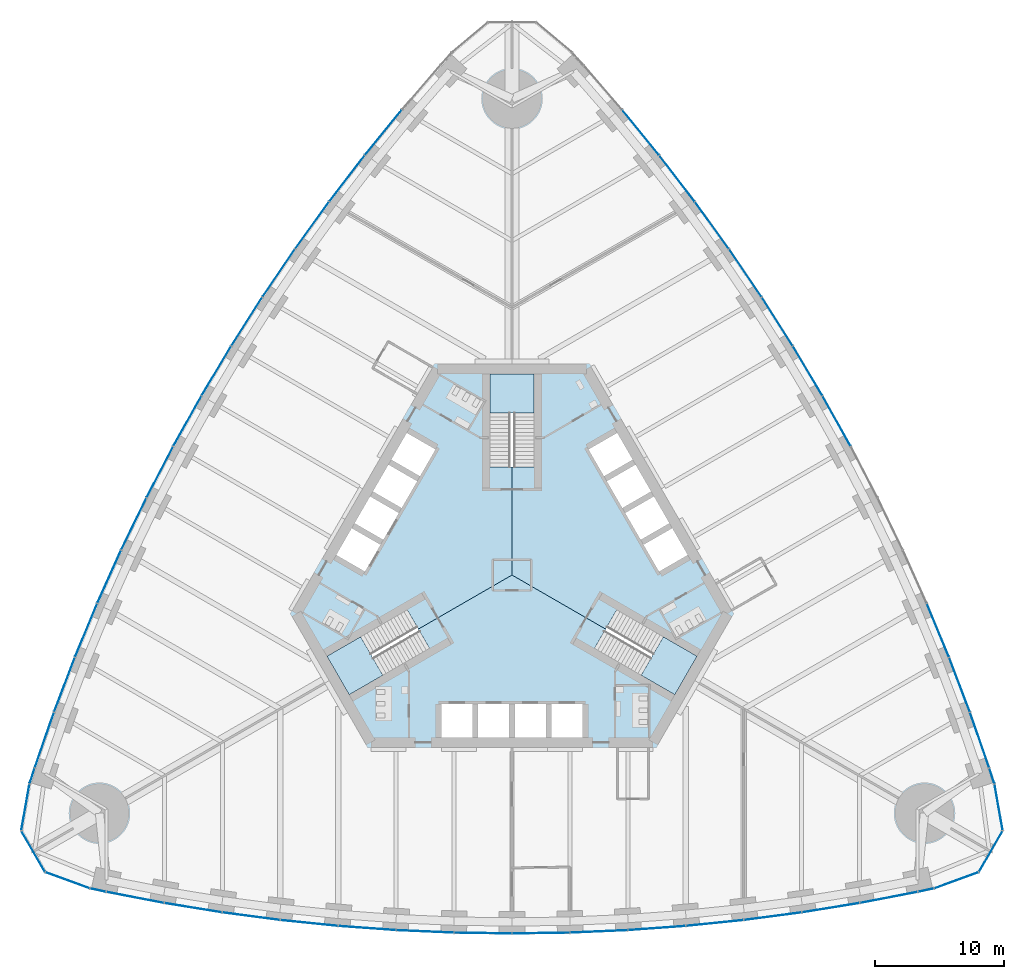
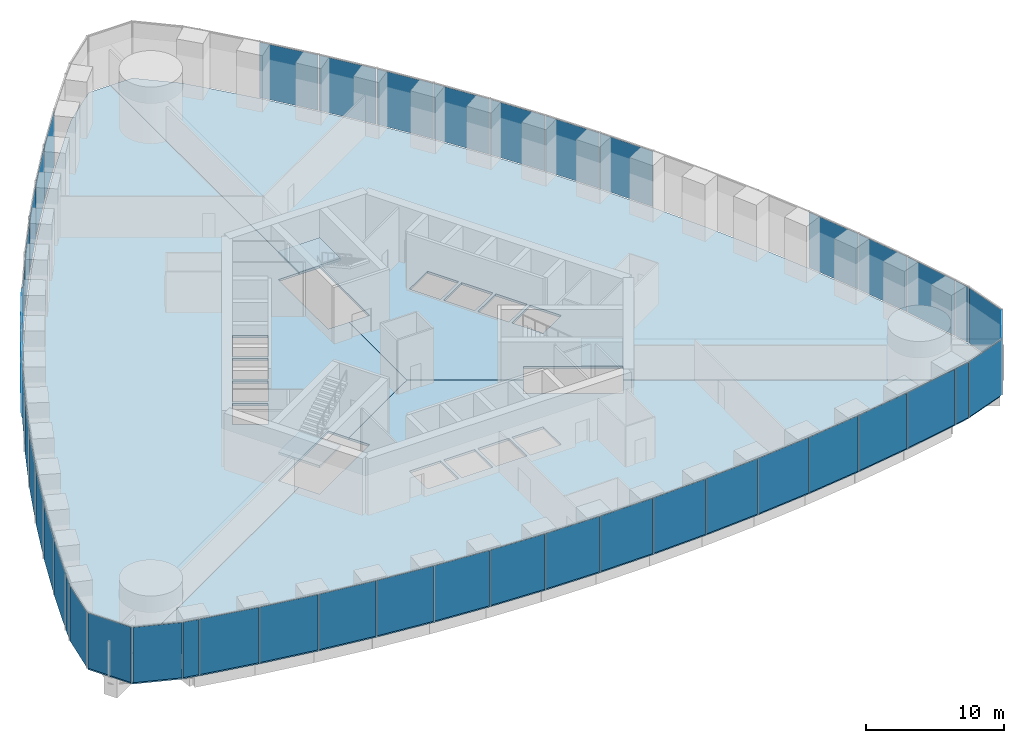
# One storey, part 13 of 21: 47 plates, 6 slabs, 8 elements without a shape of their own.
"""IFC4 building model written with IfcOpenShell, lengths in metres."""

from ifc_helpers import new_model, si_unit, direction, frame, origin, origin_2d, place, context, subcontext, project, spatial, polyline, rectangle, outline, extrude, material, layer, layer_set, type_object, element, aggregate, save


model = new_model("IFC4")

# Units and contexts
model_context = context("Model", 3, precision=1e-05, world=origin(), true_north=direction((0.0, 1.0)))
body_context = subcontext(model_context, "Body", "Model", "MODEL_VIEW")
ifc_project = project(units=[si_unit("LENGTHUNIT", "METRE"), si_unit("AREAUNIT", "SQUARE_METRE"), si_unit("VOLUMEUNIT", "CUBIC_METRE"), si_unit("PLANEANGLEUNIT", "RADIAN"), si_unit("MASSUNIT", "GRAM", prefix="KILO")], contexts=[model_context])

# Site, building, storey
site_placement = place(None, origin())
site = spatial("IfcSite", under=ifc_project, at=site_placement, CompositionType="ELEMENT")
building_placement = place(site_placement, origin())
building = spatial("IfcBuilding", under=site, at=building_placement, Name="Trefoil Bronze Tower", CompositionType="ELEMENT")
storey_placement = place(building_placement, frame((0.0, 0.0, 6.5)))
storey = spatial("IfcBuildingStorey", under=building, at=storey_placement, Name="L01", CompositionType="ELEMENT", Elevation=6.5)

# Curtain wall, plates
ifc_material_1 = material(Name="Tinted solar-control glass", Category="glass")
curtain_wall_type_1 = type_object("IfcCurtainWallType", Name="Bronze podium storefront curtain wall", PredefinedType="USERDEFINED", material=ifc_material_1)
curtain_wall_1_placement = place(storey_placement, origin())
curtain_wall_1 = element("IfcCurtainWall", 1, at=curtain_wall_1_placement, inside=storey, type_object=curtain_wall_type_1, Name="CW-C L01 F1", ObjectType="CURTAIN WALL", PredefinedType="USERDEFINED")
ifc_material_2 = material(Name="Tinted solar-control glass", Category="glass")
ifc_layer_1 = layer(ifc_material_2, 0.030029296875)
ifc_layer_set_1 = layer_set([ifc_layer_1], Name="Bronze podium storefront curtain wall glass panel")
plate_type_1 = type_object("IfcPlateType", Name="Bronze podium storefront curtain wall glass panel", PredefinedType="CURTAIN_PANEL", material=ifc_layer_set_1)
plate_1_placement = place(storey_placement, frame((-32.15185546875, -24.480224609375, 0.0), z_axis=(0.0, 0.0, 1.0), x_axis=(0.978302717041, -0.207180582657, 0.0)))
plate_1 = element("IfcPlate", 2, at=plate_1_placement, type_object=plate_type_1, Name="CW-C L01 F1 panel 1", PredefinedType="CURTAIN_PANEL", context=body_context, shape_type="SweptSolid", body=[
    extrude(rectangle(XDim=1.23046875, YDim=0.030029296875, at=origin_2d()), origin(), (0.0, 0.0, 1.0), 4.8798828125),
])
plate_2_placement = place(storey_placement, frame((-29.268798828125, -25.04638671875, 0.0), z_axis=(0.0, 0.0, 1.0), x_axis=(0.982049823817, -0.188621694249, 0.0)))
plate_2 = element("IfcPlate", 3, at=plate_2_placement, type_object=plate_type_1, Name="CW-C L01 F1 panel 2", PredefinedType="CURTAIN_PANEL", context=body_context, shape_type="SweptSolid", body=[
    extrude(rectangle(XDim=4.522216796875, YDim=0.030029296875, at=origin_2d()), origin(), (0.0, 0.0, 1.0), 4.8798828125),
])
plate_3_placement = place(storey_placement, frame((-24.765869140625, -25.8427734375, 0.0), z_axis=(0.0, 0.0, 1.0), x_axis=(0.987181315145, -0.159602791421, 0.0)))
plate_3 = element("IfcPlate", 4, at=plate_3_placement, type_object=plate_type_1, Name="CW-C L01 F1 panel 3", PredefinedType="CURTAIN_PANEL", context=body_context, shape_type="SweptSolid", body=[
    extrude(rectangle(XDim=4.49853515625, YDim=0.030029296875, at=origin_2d()), origin(), (0.0, 0.0, 1.0), 4.8798828125),
])
plate_4_placement = place(storey_placement, frame((-20.262939453125, -26.50341796875, 0.0), z_axis=(0.0, 0.0, 1.0), x_axis=(0.991437251591, -0.130583981243, 0.0)))
plate_4 = element("IfcPlate", 5, at=plate_4_placement, type_object=plate_type_1, Name="CW-C L01 F1 panel 4", PredefinedType="CURTAIN_PANEL", context=body_context, shape_type="SweptSolid", body=[
    extrude(rectangle(XDim=4.478759765625, YDim=0.030029296875, at=origin_2d()), origin(), (0.0, 0.0, 1.0), 4.8798828125),
])
plate_5_placement = place(storey_placement, frame((-15.76025390625, -27.02978515625, 0.0), z_axis=(0.0, 0.0, 1.0), x_axis=(0.994828880293, -0.101565244717, 0.0)))
plate_5 = element("IfcPlate", 6, at=plate_5_placement, type_object=plate_type_1, Name="CW-C L01 F1 panel 5", PredefinedType="CURTAIN_PANEL", context=body_context, shape_type="SweptSolid", body=[
    extrude(rectangle(XDim=4.46337890625, YDim=0.030029296875, at=origin_2d()), origin(), (0.0, 0.0, 1.0), 4.8798828125),
])
plate_6_placement = place(storey_placement, frame((-11.25732421875, -27.42333984375, 0.0), z_axis=(0.0, 0.0, 1.0), x_axis=(0.99736502647, -0.072546564177, 0.0)))
plate_6 = element("IfcPlate", 7, at=plate_6_placement, type_object=plate_type_1, Name="CW-C L01 F1 panel 6", PredefinedType="CURTAIN_PANEL", context=body_context, shape_type="SweptSolid", body=[
    extrude(rectangle(XDim=4.451904296875, YDim=0.030029296875, at=origin_2d()), origin(), (0.0, 0.0, 1.0), 4.8798828125),
])
plate_7_placement = place(storey_placement, frame((-6.75439453125, -27.685302734375, 0.0), z_axis=(0.0, 0.0, 1.0), x_axis=(0.999052210809, -0.043527922969, 0.0)))
plate_7 = element("IfcPlate", 8, at=plate_7_placement, type_object=plate_type_1, Name="CW-C L01 F1 panel 7", PredefinedType="CURTAIN_PANEL", context=body_context, shape_type="SweptSolid", body=[
    extrude(rectangle(XDim=4.4443359375, YDim=0.030029296875, at=origin_2d()), origin(), (0.0, 0.0, 1.0), 4.8798828125),
])
plate_8_placement = place(storey_placement, frame((-2.25146484375, -27.816162109375, 0.0), z_axis=(0.0, 0.0, 1.0), x_axis=(0.999894734493, -0.014509305083, 0.0)))
plate_8 = element("IfcPlate", 9, at=plate_8_placement, type_object=plate_type_1, Name="CW-C L01 F1 panel 8", PredefinedType="CURTAIN_PANEL", context=body_context, shape_type="SweptSolid", body=[
    extrude(rectangle(XDim=4.4404296875, YDim=0.030029296875, at=origin_2d()), origin(), (0.0, 0.0, 1.0), 4.8798828125),
])
plate_9_placement = place(storey_placement, frame((2.25146484375, -27.816162109375, 0.0), z_axis=(0.0, 0.0, 1.0), x_axis=(0.999894734493, 0.014509305083, 0.0)))
plate_9 = element("IfcPlate", 10, at=plate_9_placement, type_object=plate_type_1, Name="CW-C L01 F1 panel 9", PredefinedType="CURTAIN_PANEL", context=body_context, shape_type="SweptSolid", body=[
    extrude(rectangle(XDim=4.4404296875, YDim=0.030029296875, at=origin_2d()), origin(), (0.0, 0.0, 1.0), 4.8798828125),
])
plate_10_placement = place(storey_placement, frame((6.75439453125, -27.685302734375, 0.0), z_axis=(0.0, 0.0, 1.0), x_axis=(0.999052210809, 0.043527922969, 0.0)))
plate_10 = element("IfcPlate", 11, at=plate_10_placement, type_object=plate_type_1, Name="CW-C L01 F1 panel 10", PredefinedType="CURTAIN_PANEL", context=body_context, shape_type="SweptSolid", body=[
    extrude(rectangle(XDim=4.4443359375, YDim=0.030029296875, at=origin_2d()), origin(), (0.0, 0.0, 1.0), 4.8798828125),
])
plate_11_placement = place(storey_placement, frame((11.25732421875, -27.42333984375, 0.0), z_axis=(0.0, 0.0, 1.0), x_axis=(0.99736502647, 0.072546564177, 0.0)))
plate_11 = element("IfcPlate", 12, at=plate_11_placement, type_object=plate_type_1, Name="CW-C L01 F1 panel 11", PredefinedType="CURTAIN_PANEL", context=body_context, shape_type="SweptSolid", body=[
    extrude(rectangle(XDim=4.451904296875, YDim=0.030029296875, at=origin_2d()), origin(), (0.0, 0.0, 1.0), 4.8798828125),
])
plate_12_placement = place(storey_placement, frame((15.76025390625, -27.02978515625, 0.0), z_axis=(0.0, 0.0, 1.0), x_axis=(0.994828880293, 0.101565244717, 0.0)))
plate_12 = element("IfcPlate", 13, at=plate_12_placement, type_object=plate_type_1, Name="CW-C L01 F1 panel 12", PredefinedType="CURTAIN_PANEL", context=body_context, shape_type="SweptSolid", body=[
    extrude(rectangle(XDim=4.46337890625, YDim=0.030029296875, at=origin_2d()), origin(), (0.0, 0.0, 1.0), 4.8798828125),
])
plate_13_placement = place(storey_placement, frame((20.262939453125, -26.50341796875, 0.0), z_axis=(0.0, 0.0, 1.0), x_axis=(0.991437251591, 0.130583981243, 0.0)))
plate_13 = element("IfcPlate", 14, at=plate_13_placement, type_object=plate_type_1, Name="CW-C L01 F1 panel 13", PredefinedType="CURTAIN_PANEL", context=body_context, shape_type="SweptSolid", body=[
    extrude(rectangle(XDim=4.478759765625, YDim=0.030029296875, at=origin_2d()), origin(), (0.0, 0.0, 1.0), 4.8798828125),
])
plate_14_placement = place(storey_placement, frame((24.765869140625, -25.8427734375, 0.0), z_axis=(0.0, 0.0, 1.0), x_axis=(0.987181315145, 0.159602791421, 0.0)))
plate_14 = element("IfcPlate", 15, at=plate_14_placement, type_object=plate_type_1, Name="CW-C L01 F1 panel 14", PredefinedType="CURTAIN_PANEL", context=body_context, shape_type="SweptSolid", body=[
    extrude(rectangle(XDim=4.49853515625, YDim=0.030029296875, at=origin_2d()), origin(), (0.0, 0.0, 1.0), 4.8798828125),
])
plate_15_placement = place(storey_placement, frame((29.268798828125, -25.04638671875, 0.0), z_axis=(0.0, 0.0, 1.0), x_axis=(0.982049823817, 0.188621694249, 0.0)))
plate_15 = element("IfcPlate", 16, at=plate_15_placement, type_object=plate_type_1, Name="CW-C L01 F1 panel 15", PredefinedType="CURTAIN_PANEL", context=body_context, shape_type="SweptSolid", body=[
    extrude(rectangle(XDim=4.522216796875, YDim=0.030029296875, at=origin_2d()), origin(), (0.0, 0.0, 1.0), 4.8798828125),
])
plate_16_placement = place(storey_placement, frame((32.15185546875, -24.480224609375, 0.0), z_axis=(0.0, 0.0, 1.0), x_axis=(0.978302717041, 0.207180582657, 0.0)))
plate_16 = element("IfcPlate", 17, at=plate_16_placement, type_object=plate_type_1, Name="CW-C L01 F1 panel 16", PredefinedType="CURTAIN_PANEL", context=body_context, shape_type="SweptSolid", body=[
    extrude(rectangle(XDim=1.23046875, YDim=0.030029296875, at=origin_2d()), origin(), (0.0, 0.0, 1.0), 4.8798828125),
])
aggregate(curtain_wall_1, [plate_1, plate_2, plate_3, plate_4, plate_5, plate_6, plate_7, plate_8, plate_9, plate_10, plate_11, plate_12, plate_13, plate_14, plate_15, plate_16])

curtain_wall_2_placement = place(storey_placement, origin())
curtain_wall_2 = element("IfcCurtainWall", 18, at=curtain_wall_2_placement, inside=storey, type_object=curtain_wall_type_1, Name="CW-C L01 F2", ObjectType="CURTAIN WALL", PredefinedType="USERDEFINED")
plate_17_placement = place(storey_placement, frame((37.2763671875, -15.604248046875, 0.0), z_axis=(0.0, 0.0, 1.0), x_axis=(-0.309727710769, 0.950825296877, 0.0)))
plate_17 = element("IfcPlate", 19, at=plate_17_placement, type_object=plate_type_1, Name="CW-C L01 F2 panel 1", PredefinedType="CURTAIN_PANEL", context=body_context, shape_type="SweptSolid", body=[
    extrude(rectangle(XDim=1.23046875, YDim=0.030029296875, at=origin_2d()), origin(), (0.0, 0.0, 1.0), 4.8798828125),
])
plate_18_placement = place(storey_placement, frame((36.3251953125, -12.824462890625, 0.0), z_axis=(0.0, 0.0, 1.0), x_axis=(-0.327673732984, 0.944790942332, 0.0)))
plate_18 = element("IfcPlate", 20, at=plate_18_placement, type_object=plate_type_1, Name="CW-C L01 F2 panel 2", PredefinedType="CURTAIN_PANEL", context=body_context, shape_type="SweptSolid", body=[
    extrude(rectangle(XDim=4.522216796875, YDim=0.030029296875, at=origin_2d()), origin(), (0.0, 0.0, 1.0), 4.8798828125),
])
plate_19_placement = place(storey_placement, frame((34.763427734375, -8.526611328125, 0.0), z_axis=(0.0, 0.0, 1.0), x_axis=(-0.355370585687, 0.934725492767, 0.0)))
plate_19 = element("IfcPlate", 21, at=plate_19_placement, type_object=plate_type_1, Name="CW-C L01 F2 panel 3", PredefinedType="CURTAIN_PANEL", context=body_context, shape_type="SweptSolid", body=[
    extrude(rectangle(XDim=4.49853515625, YDim=0.030029296875, at=origin_2d()), origin(), (0.0, 0.0, 1.0), 4.8798828125),
])
plate_20_placement = place(storey_placement, frame((33.084228515625, -4.296630859375, 0.0), z_axis=(0.0, 0.0, 1.0), x_axis=(-0.382629580712, 0.923901836758, 0.0)))
plate_20 = element("IfcPlate", 22, at=plate_20_placement, type_object=plate_type_1, Name="CW-C L01 F2 panel 4", PredefinedType="CURTAIN_PANEL", context=body_context, shape_type="SweptSolid", body=[
    extrude(rectangle(XDim=4.478759765625, YDim=0.030029296875, at=origin_2d()), origin(), (0.0, 0.0, 1.0), 4.8798828125),
])
plate_21_placement = place(storey_placement, frame((25.215087890625, 11.958251953125, 0.0), z_axis=(0.0, 0.0, 1.0), x_axis=(-0.487381940453, 0.873188893722, 0.0)))
plate_21 = element("IfcPlate", 23, at=plate_21_placement, type_object=plate_type_1, Name="CW-C L01 F2 panel 8", PredefinedType="CURTAIN_PANEL", context=body_context, shape_type="SweptSolid", body=[
    extrude(rectangle(XDim=4.4404296875, YDim=0.030029296875, at=origin_2d()), origin(), (0.0, 0.0, 1.0), 4.8798828125),
])
plate_22_placement = place(storey_placement, frame((22.963623046875, 15.85791015625, 0.0), z_axis=(0.0, 0.0, 1.0), x_axis=(-0.51251279404, 0.858679588639, 0.0)))
plate_22 = element("IfcPlate", 24, at=plate_22_placement, type_object=plate_type_1, Name="CW-C L01 F2 panel 9", PredefinedType="CURTAIN_PANEL", context=body_context, shape_type="SweptSolid", body=[
    extrude(rectangle(XDim=4.4404296875, YDim=0.030029296875, at=origin_2d()), origin(), (0.0, 0.0, 1.0), 4.8798828125),
])
plate_23_placement = place(storey_placement, frame((20.598876953125, 19.692138671875, 0.0), z_axis=(0.0, 0.0, 1.0), x_axis=(-0.537222392469, 0.843440632783, 0.0)))
plate_23 = element("IfcPlate", 25, at=plate_23_placement, type_object=plate_type_1, Name="CW-C L01 F2 panel 10", PredefinedType="CURTAIN_PANEL", context=body_context, shape_type="SweptSolid", body=[
    extrude(rectangle(XDim=4.4443359375, YDim=0.030029296875, at=origin_2d()), origin(), (0.0, 0.0, 1.0), 4.8798828125),
])
plate_24_placement = place(storey_placement, frame((18.120849609375, 23.460693359375, 0.0), z_axis=(0.0, 0.0, 1.0), x_axis=(-0.56150968077, 0.827470167681, 0.0)))
plate_24 = element("IfcPlate", 26, at=plate_24_placement, type_object=plate_type_1, Name="CW-C L01 F2 panel 11", PredefinedType="CURTAIN_PANEL", context=body_context, shape_type="SweptSolid", body=[
    extrude(rectangle(XDim=4.451904296875, YDim=0.030029296875, at=origin_2d()), origin(), (0.0, 0.0, 1.0), 4.8798828125),
])
plate_25_placement = place(storey_placement, frame((15.5283203125, 27.16357421875, 0.0), z_axis=(0.0, 0.0, 1.0), x_axis=(-0.585372522213, 0.810764460394, 0.0)))
plate_25 = element("IfcPlate", 27, at=plate_25_placement, type_object=plate_type_1, Name="CW-C L01 F2 panel 12", PredefinedType="CURTAIN_PANEL", context=body_context, shape_type="SweptSolid", body=[
    extrude(rectangle(XDim=4.46337890625, YDim=0.030029296875, at=origin_2d()), origin(), (0.0, 0.0, 1.0), 4.8798828125),
])
plate_26_placement = place(storey_placement, frame((12.821044921875, 30.800048828125, 0.0), z_axis=(0.0, 0.0, 1.0), x_axis=(-0.608807670879, 0.793317855515, 0.0)))
plate_26 = element("IfcPlate", 28, at=plate_26_placement, type_object=plate_type_1, Name="CW-C L01 F2 panel 13", PredefinedType="CURTAIN_PANEL", context=body_context, shape_type="SweptSolid", body=[
    extrude(rectangle(XDim=4.478759765625, YDim=0.030029296875, at=origin_2d()), origin(), (0.0, 0.0, 1.0), 4.8798828125),
])
plate_27_placement = place(storey_placement, frame((9.99755859375, 34.369384765625, 0.0), z_axis=(0.0, 0.0, 1.0), x_axis=(-0.631810729457, 0.775122701346, 0.0)))
plate_27 = element("IfcPlate", 29, at=plate_27_placement, type_object=plate_type_1, Name="CW-C L01 F2 panel 14", PredefinedType="CURTAIN_PANEL", context=body_context, shape_type="SweptSolid", body=[
    extrude(rectangle(XDim=4.49853515625, YDim=0.030029296875, at=origin_2d()), origin(), (0.0, 0.0, 1.0), 4.8798828125),
])
aggregate(curtain_wall_2, [plate_17, plate_18, plate_19, plate_20, plate_21, plate_22, plate_23, plate_24, plate_25, plate_26, plate_27])

curtain_wall_3_placement = place(storey_placement, origin())
curtain_wall_3 = element("IfcCurtainWall", 30, at=curtain_wall_3_placement, inside=storey, type_object=curtain_wall_type_1, Name="CW-C L01 F3", ObjectType="CURTAIN WALL", PredefinedType="USERDEFINED")
plate_28_placement = place(storey_placement, frame((-9.99755859375, 34.369384765625, 0.0), z_axis=(0.0, 0.0, 1.0), x_axis=(-0.631810729457, -0.775122701346, 0.0)))
plate_28 = element("IfcPlate", 31, at=plate_28_placement, type_object=plate_type_1, Name="CW-C L01 F3 panel 3", PredefinedType="CURTAIN_PANEL", context=body_context, shape_type="SweptSolid", body=[
    extrude(rectangle(XDim=4.49853515625, YDim=0.030029296875, at=origin_2d()), origin(), (0.0, 0.0, 1.0), 4.8798828125),
])
plate_29_placement = place(storey_placement, frame((-12.821044921875, 30.800048828125, 0.0), z_axis=(0.0, 0.0, 1.0), x_axis=(-0.608807670879, -0.793317855515, 0.0)))
plate_29 = element("IfcPlate", 32, at=plate_29_placement, type_object=plate_type_1, Name="CW-C L01 F3 panel 4", PredefinedType="CURTAIN_PANEL", context=body_context, shape_type="SweptSolid", body=[
    extrude(rectangle(XDim=4.478759765625, YDim=0.030029296875, at=origin_2d()), origin(), (0.0, 0.0, 1.0), 4.8798828125),
])
plate_30_placement = place(storey_placement, frame((-15.5283203125, 27.16357421875, 0.0), z_axis=(0.0, 0.0, 1.0), x_axis=(-0.585372522213, -0.810764460394, 0.0)))
plate_30 = element("IfcPlate", 33, at=plate_30_placement, type_object=plate_type_1, Name="CW-C L01 F3 panel 5", PredefinedType="CURTAIN_PANEL", context=body_context, shape_type="SweptSolid", body=[
    extrude(rectangle(XDim=4.46337890625, YDim=0.030029296875, at=origin_2d()), origin(), (0.0, 0.0, 1.0), 4.8798828125),
])
plate_31_placement = place(storey_placement, frame((-18.120849609375, 23.460693359375, 0.0), z_axis=(0.0, 0.0, 1.0), x_axis=(-0.56150968077, -0.827470167681, 0.0)))
plate_31 = element("IfcPlate", 34, at=plate_31_placement, type_object=plate_type_1, Name="CW-C L01 F3 panel 6", PredefinedType="CURTAIN_PANEL", context=body_context, shape_type="SweptSolid", body=[
    extrude(rectangle(XDim=4.451904296875, YDim=0.030029296875, at=origin_2d()), origin(), (0.0, 0.0, 1.0), 4.8798828125),
])
plate_32_placement = place(storey_placement, frame((-20.598876953125, 19.692138671875, 0.0), z_axis=(0.0, 0.0, 1.0), x_axis=(-0.537222392469, -0.843440632783, 0.0)))
plate_32 = element("IfcPlate", 35, at=plate_32_placement, type_object=plate_type_1, Name="CW-C L01 F3 panel 7", PredefinedType="CURTAIN_PANEL", context=body_context, shape_type="SweptSolid", body=[
    extrude(rectangle(XDim=4.4443359375, YDim=0.030029296875, at=origin_2d()), origin(), (0.0, 0.0, 1.0), 4.8798828125),
])
plate_33_placement = place(storey_placement, frame((-22.963623046875, 15.85791015625, 0.0), z_axis=(0.0, 0.0, 1.0), x_axis=(-0.51251279404, -0.858679588639, 0.0)))
plate_33 = element("IfcPlate", 36, at=plate_33_placement, type_object=plate_type_1, Name="CW-C L01 F3 panel 8", PredefinedType="CURTAIN_PANEL", context=body_context, shape_type="SweptSolid", body=[
    extrude(rectangle(XDim=4.4404296875, YDim=0.030029296875, at=origin_2d()), origin(), (0.0, 0.0, 1.0), 4.8798828125),
])
plate_34_placement = place(storey_placement, frame((-25.215087890625, 11.958251953125, 0.0), z_axis=(0.0, 0.0, 1.0), x_axis=(-0.487381940453, -0.873188893722, 0.0)))
plate_34 = element("IfcPlate", 37, at=plate_34_placement, type_object=plate_type_1, Name="CW-C L01 F3 panel 9", PredefinedType="CURTAIN_PANEL", context=body_context, shape_type="SweptSolid", body=[
    extrude(rectangle(XDim=4.4404296875, YDim=0.030029296875, at=origin_2d()), origin(), (0.0, 0.0, 1.0), 4.8798828125),
])
plate_35_placement = place(storey_placement, frame((-27.353271484375, 7.9931640625, 0.0), z_axis=(0.0, 0.0, 1.0), x_axis=(-0.46182981834, -0.886968555752, 0.0)))
plate_35 = element("IfcPlate", 38, at=plate_35_placement, type_object=plate_type_1, Name="CW-C L01 F3 panel 10", PredefinedType="CURTAIN_PANEL", context=body_context, shape_type="SweptSolid", body=[
    extrude(rectangle(XDim=4.4443359375, YDim=0.030029296875, at=origin_2d()), origin(), (0.0, 0.0, 1.0), 4.8798828125),
])
plate_36_placement = place(storey_placement, frame((-29.3779296875, 3.962646484375, 0.0), z_axis=(0.0, 0.0, 1.0), x_axis=(-0.4358553457, -0.900016731858, 0.0)))
plate_36 = element("IfcPlate", 39, at=plate_36_placement, type_object=plate_type_1, Name="CW-C L01 F3 panel 11", PredefinedType="CURTAIN_PANEL", context=body_context, shape_type="SweptSolid", body=[
    extrude(rectangle(XDim=4.451904296875, YDim=0.030029296875, at=origin_2d()), origin(), (0.0, 0.0, 1.0), 4.8798828125),
])
plate_37_placement = place(storey_placement, frame((-31.28857421875, -0.1337890625, 0.0), z_axis=(0.0, 0.0, 1.0), x_axis=(-0.40945635808, -0.912329705111, 0.0)))
plate_37 = element("IfcPlate", 40, at=plate_37_placement, type_object=plate_type_1, Name="CW-C L01 F3 panel 12", PredefinedType="CURTAIN_PANEL", context=body_context, shape_type="SweptSolid", body=[
    extrude(rectangle(XDim=4.46337890625, YDim=0.030029296875, at=origin_2d()), origin(), (0.0, 0.0, 1.0), 4.8798828125),
])
plate_38_placement = place(storey_placement, frame((-33.084228515625, -4.296630859375, 0.0), z_axis=(0.0, 0.0, 1.0), x_axis=(-0.382629580712, -0.923901836758, 0.0)))
plate_38 = element("IfcPlate", 41, at=plate_38_placement, type_object=plate_type_1, Name="CW-C L01 F3 panel 13", PredefinedType="CURTAIN_PANEL", context=body_context, shape_type="SweptSolid", body=[
    extrude(rectangle(XDim=4.478759765625, YDim=0.030029296875, at=origin_2d()), origin(), (0.0, 0.0, 1.0), 4.8798828125),
])
plate_39_placement = place(storey_placement, frame((-34.763427734375, -8.526611328125, 0.0), z_axis=(0.0, 0.0, 1.0), x_axis=(-0.355370585687, -0.934725492767, 0.0)))
plate_39 = element("IfcPlate", 42, at=plate_39_placement, type_object=plate_type_1, Name="CW-C L01 F3 panel 14", PredefinedType="CURTAIN_PANEL", context=body_context, shape_type="SweptSolid", body=[
    extrude(rectangle(XDim=4.49853515625, YDim=0.030029296875, at=origin_2d()), origin(), (0.0, 0.0, 1.0), 4.8798828125),
])
plate_40_placement = place(storey_placement, frame((-36.3251953125, -12.824462890625, 0.0), z_axis=(0.0, 0.0, 1.0), x_axis=(-0.327673732984, -0.944790942332, 0.0)))
plate_40 = element("IfcPlate", 43, at=plate_40_placement, type_object=plate_type_1, Name="CW-C L01 F3 panel 15", PredefinedType="CURTAIN_PANEL", context=body_context, shape_type="SweptSolid", body=[
    extrude(rectangle(XDim=4.522216796875, YDim=0.030029296875, at=origin_2d()), origin(), (0.0, 0.0, 1.0), 4.8798828125),
])
plate_41_placement = place(storey_placement, frame((-37.2763671875, -15.604248046875, 0.0), z_axis=(0.0, 0.0, 1.0), x_axis=(-0.309727710769, -0.950825296877, 0.0)))
plate_41 = element("IfcPlate", 44, at=plate_41_placement, type_object=plate_type_1, Name="CW-C L01 F3 panel 16", PredefinedType="CURTAIN_PANEL", context=body_context, shape_type="SweptSolid", body=[
    extrude(rectangle(XDim=1.23046875, YDim=0.030029296875, at=origin_2d()), origin(), (0.0, 0.0, 1.0), 4.8798828125),
])
aggregate(curtain_wall_3, [plate_28, plate_29, plate_30, plate_31, plate_32, plate_33, plate_34, plate_35, plate_36, plate_37, plate_38, plate_39, plate_40, plate_41])

ifc_material_3 = material(Name="Tinted solar-control glass", Category="glass")
curtain_wall_type_2 = type_object("IfcCurtainWallType", Name="Bronze rounded corner curtain wall", PredefinedType="USERDEFINED", material=ifc_material_3)
curtain_wall_4_placement = place(storey_placement, origin())
curtain_wall_4 = element("IfcCurtainWall", 45, at=curtain_wall_4_placement, inside=storey, type_object=curtain_wall_type_2, Name="CW-B L01 K1", ObjectType="CURTAIN WALL", PredefinedType="USERDEFINED")
ifc_material_4 = material(Name="Tinted solar-control glass", Category="glass")
ifc_layer_2 = layer(ifc_material_4, 0.030029296875)
ifc_layer_set_2 = layer_set([ifc_layer_2], Name="Bronze rounded corner curtain wall glass panel")
plate_type_2 = type_object("IfcPlateType", Name="Bronze rounded corner curtain wall glass panel", PredefinedType="CURTAIN_PANEL", material=ifc_layer_set_2)
plate_42_placement = place(storey_placement, frame((34.5107421875, -23.71875, 0.0), z_axis=(0.0, 0.0, 1.0), x_axis=(0.939692620786, 0.342020143326, 0.0)))
plate_42 = element("IfcPlate", 46, at=plate_42_placement, type_object=plate_type_2, Name="CW-B L01 K1 panel 1", PredefinedType="CURTAIN_PANEL", context=body_context, shape_type="SweptSolid", body=[
    extrude(rectangle(XDim=3.588134765625, YDim=0.030029296875, at=origin_2d()), origin(), (0.0, 0.0, 1.0), 4.8798828125),
])
plate_43_placement = place(storey_placement, frame((37.189208984375, -21.47119140625, 0.0), z_axis=(0.0, 0.0, 1.0), x_axis=(0.5, 0.866025403784, 0.0)))
plate_43 = element("IfcPlate", 47, at=plate_43_placement, type_object=plate_type_2, Name="CW-B L01 K1 panel 2", PredefinedType="CURTAIN_PANEL", context=body_context, shape_type="SweptSolid", body=[
    extrude(rectangle(XDim=3.588134765625, YDim=0.030029296875, at=origin_2d()), origin(), (0.0, 0.0, 1.0), 4.8798828125),
])
plate_44_placement = place(storey_placement, frame((37.79638671875, -18.02783203125, 0.0), z_axis=(0.0, 0.0, 1.0), x_axis=(-0.173648177667, 0.984807753012, 0.0)))
plate_44 = element("IfcPlate", 48, at=plate_44_placement, type_object=plate_type_2, Name="CW-B L01 K1 panel 3", PredefinedType="CURTAIN_PANEL", context=body_context, shape_type="SweptSolid", body=[
    extrude(rectangle(XDim=3.588134765625, YDim=0.030029296875, at=origin_2d()), origin(), (0.0, 0.0, 1.0), 4.8798828125),
])
aggregate(curtain_wall_4, [plate_42, plate_43, plate_44])

curtain_wall_5_placement = place(storey_placement, origin())
curtain_wall_5 = element("IfcCurtainWall", 49, at=curtain_wall_5_placement, inside=storey, type_object=curtain_wall_type_2, Name="CW-B L01 K3", ObjectType="CURTAIN WALL", PredefinedType="USERDEFINED")
plate_45_placement = place(storey_placement, frame((-37.79638671875, -18.02783203125, 0.0), z_axis=(0.0, 0.0, 1.0), x_axis=(-0.173648177667, -0.984807753012, 0.0)))
plate_45 = element("IfcPlate", 50, at=plate_45_placement, type_object=plate_type_2, Name="CW-B L01 K3 panel 1", PredefinedType="CURTAIN_PANEL", context=body_context, shape_type="SweptSolid", body=[
    extrude(rectangle(XDim=3.588134765625, YDim=0.030029296875, at=origin_2d()), origin(), (0.0, 0.0, 1.0), 4.8798828125),
])
plate_46_placement = place(storey_placement, frame((-37.189208984375, -21.47119140625, 0.0), z_axis=(0.0, 0.0, 1.0), x_axis=(0.5, -0.866025403784, 0.0)))
plate_46 = element("IfcPlate", 51, at=plate_46_placement, type_object=plate_type_2, Name="CW-B L01 K3 panel 2", PredefinedType="CURTAIN_PANEL", context=body_context, shape_type="SweptSolid", body=[
    extrude(rectangle(XDim=3.588134765625, YDim=0.030029296875, at=origin_2d()), origin(), (0.0, 0.0, 1.0), 4.8798828125),
])
plate_47_placement = place(storey_placement, frame((-34.5107421875, -23.71875, 0.0), z_axis=(0.0, 0.0, 1.0), x_axis=(0.939692620786, -0.342020143326, 0.0)))
plate_47 = element("IfcPlate", 52, at=plate_47_placement, type_object=plate_type_2, Name="CW-B L01 K3 panel 3", PredefinedType="CURTAIN_PANEL", context=body_context, shape_type="SweptSolid", body=[
    extrude(rectangle(XDim=3.588134765625, YDim=0.030029296875, at=origin_2d()), origin(), (0.0, 0.0, 1.0), 4.8798828125),
])
aggregate(curtain_wall_5, [plate_45, plate_46, plate_47])

# Slabs
ifc_material_5 = material(Name="Concrete B30", Category="concrete")
ifc_layer_3 = layer(ifc_material_5, 0.199951171875)
ifc_layer_set_3 = layer_set([ifc_layer_3], Name="Floor slab 200")
slab_type_1 = type_object("IfcSlabType", Name="Floor slab 200", PredefinedType="FLOOR", material=ifc_layer_set_3)
slab_1_placement = place(storey_placement, frame((0.0, 0.0, -0.199951171875)))
element("IfcSlab", 53, at=slab_1_placement, inside=storey, type_object=slab_type_1, Name="Floor slab L01 face 1", PredefinedType="FLOOR", context=body_context, shape_type="SweptSolid", body=[
    extrude(outline(polyline([(27.0, -25.38037109375), (22.5, -26.10791015625), (18.0, -26.70068359375), (13.5, -27.159912109375), (9.0, -27.4873046875), (4.5, -27.683349609375), (0.0, -27.748779296875), (-4.5, -27.683349609375), (-9.0, -27.4873046875), (-13.5, -27.159912109375), (-18.0, -26.70068359375), (-22.5, -26.10791015625), (-27.0, -25.38037109375), (-31.5, -24.51611328125), (-32.762451171875, -24.248779296875), (-36.190673828125, -23.0009765625), (-37.1025390625, -21.421142578125), (-13.510009765625, -7.800048828125), (-12.6474609375, -9.2939453125), (-6.412109375, -5.69384765625), (-7.274658203125, -4.199951171875), (0.0, 0.0), (7.274658203125, -4.199951171875), (6.412109375, -5.69384765625), (12.6474609375, -9.2939453125), (13.510009765625, -7.800048828125), (37.1025390625, -21.421142578125), (36.190673828125, -23.0009765625), (32.762451171875, -24.248779296875), (31.5, -24.51611328125), (27.0, -25.38037109375)]), holes=[polyline([(-5.574951171875, -10.02490234375), (-2.97509765625, -10.02490234375), (-2.97509765625, -12.60009765625), (-5.574951171875, -12.60009765625), (-5.574951171875, -10.02490234375)]), polyline([(-2.72509765625, -10.02490234375), (-0.125, -10.02490234375), (-0.125, -12.60009765625), (-2.72509765625, -12.60009765625), (-2.72509765625, -10.02490234375)]), polyline([(0.125, -10.02490234375), (2.72509765625, -10.02490234375), (2.72509765625, -12.60009765625), (0.125, -12.60009765625), (0.125, -10.02490234375)]), polyline([(2.97509765625, -10.02490234375), (5.574951171875, -10.02490234375), (5.574951171875, -12.60009765625), (2.97509765625, -12.60009765625), (2.97509765625, -10.02490234375)])]), origin(), (0.0, 0.0, 1.0), 0.199951171875),
])
slab_2_placement = place(storey_placement, frame((0.0, 0.0, -0.199951171875)))
element("IfcSlab", 54, at=slab_2_placement, inside=storey, type_object=slab_type_1, Name="Floor slab L01 face 2", PredefinedType="FLOOR", context=body_context, shape_type="SweptSolid", body=[
    extrude(outline(polyline([(8.47998046875, 36.07275390625), (11.360107421875, 32.53955078125), (14.123291015625, 28.938720703125), (16.771240234375, 25.271240234375), (19.3046875, 21.537841796875), (21.724609375, 17.73876953125), (24.031005859375, 13.874267578125), (26.224609375, 9.944580078125), (28.3046875, 5.949462890625), (30.271240234375, 1.888671875), (32.123291015625, -2.238037109375), (33.860107421875, -6.431640625), (35.47998046875, -10.6923828125), (36.9814453125, -15.021728515625), (37.381103515625, -16.248779296875), (38.0146484375, -19.841552734375), (37.1025390625, -21.421142578125), (13.510009765625, -7.800048828125), (14.37255859375, -6.30615234375), (8.13720703125, -2.7060546875), (7.274658203125, -4.199951171875), (0.0, 0.0), (0.0, 8.39990234375), (1.72509765625, 8.39990234375), (1.72509765625, 15.60009765625), (0.0, 15.60009765625), (0.0, 42.842529296875), (1.82421875, 42.842529296875), (4.618896484375, 40.497314453125), (5.4814453125, 39.537841796875), (8.47998046875, 36.07275390625)]), holes=[polyline([(11.469482421875, 0.184326171875), (10.16943359375, 2.43603515625), (12.3994140625, 3.7236328125), (13.699462890625, 1.471923828125), (11.469482421875, 0.184326171875)]), polyline([(10.04443359375, 2.652587890625), (8.744384765625, 4.904296875), (10.974365234375, 6.191650390625), (12.2744140625, 3.940185546875), (10.04443359375, 2.652587890625)]), polyline([(8.619384765625, 5.120849609375), (7.3193359375, 7.372314453125), (9.54931640625, 8.659912109375), (10.849365234375, 6.408203125), (8.619384765625, 5.120849609375)]), polyline([(7.1943359375, 7.5888671875), (5.894287109375, 9.840576171875), (8.12451171875, 11.128173828125), (9.42431640625, 8.87646484375), (7.1943359375, 7.5888671875)])]), origin(), (0.0, 0.0, 1.0), 0.199951171875),
])
slab_3_placement = place(storey_placement, frame((0.0, 0.0, -0.199951171875)))
element("IfcSlab", 55, at=slab_3_placement, inside=storey, type_object=slab_type_1, Name="Floor slab L01 face 3", PredefinedType="FLOOR", context=body_context, shape_type="SweptSolid", body=[
    extrude(outline(polyline([(-35.47998046875, -10.6923828125), (-33.860107421875, -6.431640625), (-32.123291015625, -2.238037109375), (-30.271240234375, 1.888671875), (-28.3046875, 5.949462890625), (-26.224609375, 9.944580078125), (-24.031005859375, 13.874267578125), (-21.724609375, 17.73876953125), (-19.3046875, 21.537841796875), (-16.771240234375, 25.271240234375), (-14.123291015625, 28.938720703125), (-11.360107421875, 32.53955078125), (-8.47998046875, 36.07275390625), (-5.4814453125, 39.537841796875), (-4.618896484375, 40.497314453125), (-1.82421875, 42.842529296875), (0.0, 42.842529296875), (0.0, 15.60009765625), (-1.72509765625, 15.60009765625), (-1.72509765625, 8.39990234375), (0.0, 8.39990234375), (0.0, 0.0), (-7.274658203125, -4.199951171875), (-8.13720703125, -2.7060546875), (-14.37255859375, -6.30615234375), (-13.510009765625, -7.800048828125), (-37.1025390625, -21.421142578125), (-38.0146484375, -19.841552734375), (-37.381103515625, -16.248779296875), (-36.9814453125, -15.021728515625), (-35.47998046875, -10.6923828125)]), holes=[polyline([(-5.894287109375, 9.840576171875), (-7.1943359375, 7.5888671875), (-9.42431640625, 8.87646484375), (-8.12451171875, 11.128173828125), (-5.894287109375, 9.840576171875)]), polyline([(-7.3193359375, 7.372314453125), (-8.619384765625, 5.120849609375), (-10.849365234375, 6.408203125), (-9.54931640625, 8.659912109375), (-7.3193359375, 7.372314453125)]), polyline([(-8.744384765625, 4.904296875), (-10.04443359375, 2.652587890625), (-12.2744140625, 3.940185546875), (-10.974365234375, 6.191650390625), (-8.744384765625, 4.904296875)]), polyline([(-10.16943359375, 2.43603515625), (-11.469482421875, 0.184326171875), (-13.699462890625, 1.471923828125), (-12.3994140625, 3.7236328125), (-10.16943359375, 2.43603515625)])]), origin(), (0.0, 0.0, 1.0), 0.199951171875),
])

# Stair, slab
ifc_material_6 = material(Name="Precast concrete B80", Category="concrete")
stair_type = type_object("IfcStairType", Name="Exit stair 30 risers", PredefinedType="HALF_TURN_STAIR", material=ifc_material_6)
stair_1_placement = place(storey_placement, origin())
stair_1 = element("IfcStair", 56, at=stair_1_placement, inside=storey, type_object=stair_type, Name="Stair ST1 L01", PredefinedType="HALF_TURN_STAIR")
ifc_material_7 = material(Name="Concrete B30", Category="concrete")
ifc_layer_4 = layer(ifc_material_7, 0.199951171875)
ifc_layer_set_4 = layer_set([ifc_layer_4], Name="Stair landing 200")
slab_type_2 = type_object("IfcSlabType", Name="Stair landing 200", PredefinedType="LANDING", material=ifc_layer_set_4)
slab_4_placement = place(storey_placement, frame((0.0, 0.0, 2.300048828125)))
slab_4 = element("IfcSlab", 57, at=slab_4_placement, type_object=slab_type_2, Name="ST1 landing 1", PredefinedType="LANDING", context=body_context, shape_type="SweptSolid", body=[
    extrude(outline(polyline([(10.031982421875, -7.783935546875), (12.6474609375, -9.2939453125), (14.37255859375, -6.30615234375), (11.757080078125, -4.796142578125), (10.031982421875, -7.783935546875)])), origin(), (0.0, 0.0, 1.0), 0.199951171875),
])
aggregate(stair_1, [slab_4])

stair_2_placement = place(storey_placement, origin())
stair_2 = element("IfcStair", 58, at=stair_2_placement, inside=storey, type_object=stair_type, Name="Stair ST2 L01", PredefinedType="HALF_TURN_STAIR")
slab_5_placement = place(storey_placement, frame((0.0, 0.0, 2.300048828125)))
slab_5 = element("IfcSlab", 59, at=slab_5_placement, type_object=slab_type_2, Name="ST2 landing 1", PredefinedType="LANDING", context=body_context, shape_type="SweptSolid", body=[
    extrude(outline(polyline([(1.72509765625, 12.580078125), (1.72509765625, 15.60009765625), (-1.72509765625, 15.60009765625), (-1.72509765625, 12.580078125), (1.72509765625, 12.580078125)])), origin(), (0.0, 0.0, 1.0), 0.199951171875),
])
aggregate(stair_2, [slab_5])

stair_3_placement = place(storey_placement, origin())
stair_3 = element("IfcStair", 60, at=stair_3_placement, inside=storey, type_object=stair_type, Name="Stair ST3 L01", PredefinedType="HALF_TURN_STAIR")
slab_6_placement = place(storey_placement, frame((0.0, 0.0, 2.300048828125)))
slab_6 = element("IfcSlab", 61, at=slab_6_placement, type_object=slab_type_2, Name="ST3 landing 1", PredefinedType="LANDING", context=body_context, shape_type="SweptSolid", body=[
    extrude(outline(polyline([(-11.757080078125, -4.796142578125), (-14.37255859375, -6.30615234375), (-12.6474609375, -9.2939453125), (-10.031982421875, -7.783935546875), (-11.757080078125, -4.796142578125)])), origin(), (0.0, 0.0, 1.0), 0.199951171875),
])
aggregate(stair_3, [slab_6])

save(model, "model.ifc")
